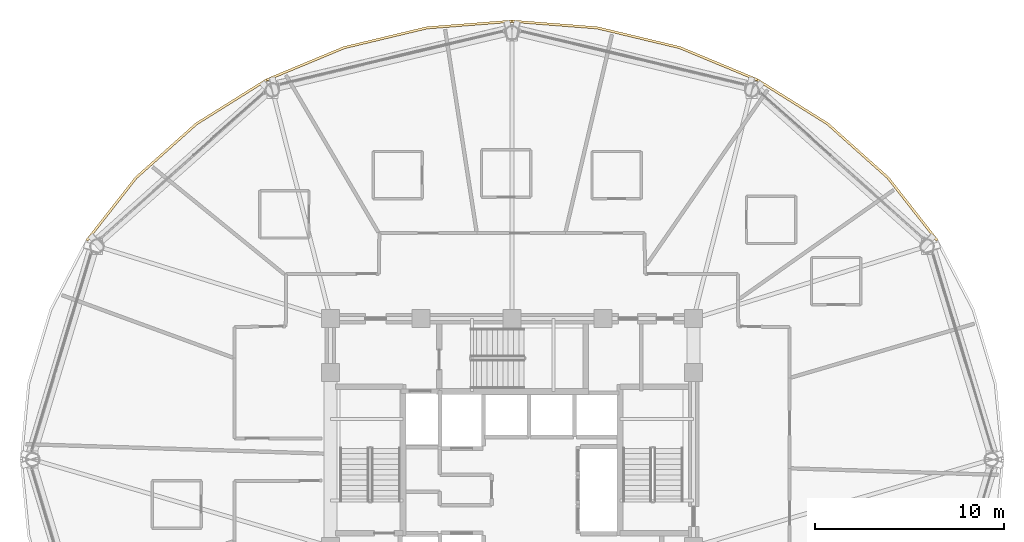
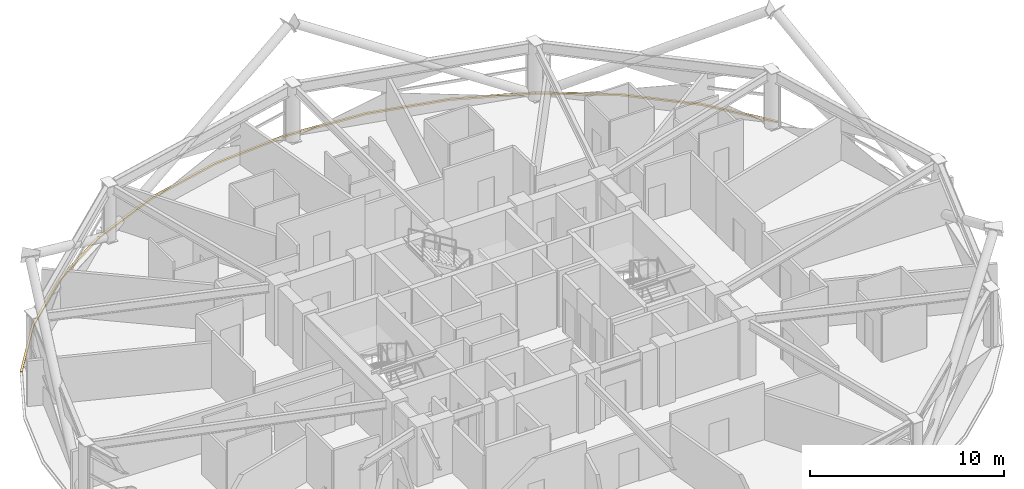
# One storey, part 30 of 30: 4 coverings.
"""IFC4 building model written with IfcOpenShell, lengths in metres."""

import ifcopenshell
import ifcopenshell.guid

model = None  # the IFC model being written
_history = None  # IfcOwnerHistory: only IFC2X3 demands one
_inside = {}  # id of a spatial element -> (the spatial element, [elements in it])
_under = {}  # id of a project, library or spatial element -> (it, [spatial elements below it])
_declared = {}  # id of a project -> (the project, [libraries it declares])
_typed = {}  # id of a type object -> (the type object, [elements of that type])
_made_of = {}  # id of a material, layer set ... -> (it, [elements and type objects made of it])


def new_model(schema):
    """Start an empty IFC model of exactly this schema.

    Asked for "IFC4X3", IfcOpenShell would pick the latest addendum, in which some entities
    have other attributes; the version numbers below select the first issue.
    IFC2X3 requires an IfcOwnerHistory on every rooted entity: one is made here for all.
    """
    global model, _history
    if schema == "IFC4X3":
        model = ifcopenshell.file(schema_version=(4, 3, 0, 0))
    else:
        model = ifcopenshell.file(schema=schema)
    _inside.clear()
    _under.clear()
    _declared.clear()
    _typed.clear()
    _made_of.clear()
    _history = None
    if model.schema == "IFC2X3":
        org = make("IfcOrganization", Name="unknown")
        user = make(
            "IfcPersonAndOrganization",
            ThePerson=make("IfcPerson", FamilyName="unknown"),
            TheOrganization=org,
        )
        app = make(
            "IfcApplication",
            ApplicationDeveloper=org,
            Version="unknown",
            ApplicationFullName="unknown",
            ApplicationIdentifier="unknown",
        )
        _history = make(
            "IfcOwnerHistory",
            OwningUser=user,
            OwningApplication=app,
            ChangeAction="ADDED",
            CreationDate=0,
        )
    return model


def make(cls, **values):
    """One entity of the class cls with the attributes given. An attribute that is None is left unset."""
    return model.create_entity(
        cls, **{name: value for name, value in values.items() if value is not None}
    )


def rooted(cls, **values):
    """An entity with a GlobalId (a new one), such as an element, a storey or a relation."""
    return make(cls, GlobalId=ifcopenshell.guid.new(), OwnerHistory=_history, **values)


def si_unit(unit_type, name, prefix=None):
    """IfcSIUnit, for example si_unit("LENGTHUNIT", "METRE", prefix="MILLI")."""
    return make("IfcSIUnit", UnitType=unit_type, Prefix=prefix, Name=name)


def assignment(units):
    """IfcUnitAssignment: the units of a project."""
    return None if units is None else make("IfcUnitAssignment", Units=units)


def point(xyz):
    """IfcCartesianPoint."""
    return None if xyz is None else make("IfcCartesianPoint", Coordinates=xyz)


def direction(xyz):
    """IfcDirection."""
    return None if xyz is None else make("IfcDirection", DirectionRatios=xyz)


def frame(location, z_axis=None, x_axis=None):
    """IfcAxis2Placement3D, a coordinate frame: its origin and axes. An axis left out is left unset."""
    return make(
        "IfcAxis2Placement3D",
        Location=point(location),
        Axis=direction(z_axis),
        RefDirection=direction(x_axis),
    )


def origin():
    """The frame at (0, 0, 0) with its axes left unset."""
    return frame((0.0, 0.0, 0.0))


def place(relative_to, where):
    """IfcLocalPlacement: puts the frame where relative to a parent placement (None: the world)."""
    return make(
        "IfcLocalPlacement", PlacementRelTo=relative_to, RelativePlacement=where
    )


def context(
    kind, dimensions, precision=None, world=None, true_north=None, identifier=None
):
    """IfcGeometricRepresentationContext, for example the 3D "Model" context."""
    return make(
        "IfcGeometricRepresentationContext",
        ContextIdentifier=identifier,
        ContextType=kind,
        CoordinateSpaceDimension=dimensions,
        Precision=precision,
        WorldCoordinateSystem=world,
        TrueNorth=true_north,
    )


def subcontext(parent, identifier, kind, view, scale=None):
    """IfcGeometricRepresentationSubContext, for example "Body" below "Model"."""
    return make(
        "IfcGeometricRepresentationSubContext",
        ContextIdentifier=identifier,
        ContextType=kind,
        ParentContext=parent,
        TargetScale=scale,
        TargetView=view,
    )


def project(units=None, contexts=None):
    """IfcProject with its units and contexts."""
    return rooted(
        "IfcProject",
        Name="project",
        RepresentationContexts=contexts,
        UnitsInContext=assignment(units),
    )


def spatial(cls, under=None, at=None, **own):
    """A site, building, storey or space (cls), placed at a placement, below another one or the project."""
    s = rooted(cls, ObjectPlacement=at, **own)
    if under is not None:
        _under.setdefault(under.id(), (under, []))[1].append(s)
    return s


def polyline(points):
    """IfcPolyline through the points."""
    return make("IfcPolyline", Points=[point(p) for p in points])


def outline(outer, holes=None, kind="AREA"):
    """IfcArbitraryClosedProfileDef: a profile drawn as a closed curve; with holes, ...WithVoids."""
    if holes is None:
        return make("IfcArbitraryClosedProfileDef", ProfileType=kind, OuterCurve=outer)
    return make(
        "IfcArbitraryProfileDefWithVoids",
        ProfileType=kind,
        OuterCurve=outer,
        InnerCurves=holes,
    )


def extrude(swept, where, along, depth):
    """IfcExtrudedAreaSolid: the profile swept, set in the frame where, extruded along a direction by depth."""
    return make(
        "IfcExtrudedAreaSolid",
        SweptArea=swept,
        Position=where,
        ExtrudedDirection=direction(along),
        Depth=depth,
    )


def shape(context_of_items, identifier, shape_type, items):
    """IfcShapeRepresentation: the items that make up one representation, for example the "Body"."""
    return make(
        "IfcShapeRepresentation",
        ContextOfItems=context_of_items,
        RepresentationIdentifier=identifier,
        RepresentationType=shape_type,
        Items=items,
    )


def material(Name=None, Category=None):
    """IfcMaterial."""
    return make("IfcMaterial", Name=Name, Category=Category)


def layer(
    of_material, thickness, ventilated=None, Name=None, Category=None, Priority=None
):
    """IfcMaterialLayer: one layer of a wall or slab, of a material (None: an air gap)."""
    return make(
        "IfcMaterialLayer",
        Material=of_material,
        LayerThickness=thickness,
        IsVentilated=ventilated,
        Name=Name,
        Category=Category,
        Priority=Priority,
    )


def layer_set(layers, Name=None):
    """IfcMaterialLayerSet."""
    return make("IfcMaterialLayerSet", MaterialLayers=layers, LayerSetName=Name)


def made_of(thing, what):
    """Note that an element or type object is made of a material, layer set ...; save() writes the relation."""
    if what is not None:
        _made_of.setdefault(what.id(), (what, []))[1].append(thing)
    return thing


def type_object(cls, material=None, **own):
    """A type object (cls), such as IfcWallType, which elements share."""
    return made_of(rooted(cls, **own), material)


def element(
    cls,
    number,
    at=None,
    inside=None,
    cuts=None,
    type_object=None,
    material=None,
    context=None,
    identifier="Body",
    shape_type=None,
    held_by="IfcProductDefinitionShape",
    body=None,
    shapes=None,
    **own,
):
    """One element of the class cls, such as IfcWall. Its Tag is "e" and its number.

    at: its placement. inside: the storey or other place that contains it. cuts: it is an
    opening in that element (IfcRelVoidsElement). A single representation is given by context,
    identifier, shape_type and body (its items); several are given by shapes. held_by: the class
    of the entity that holds the representations. save() writes the other relations.
    """
    e = rooted(cls, Tag="e%d" % number, ObjectPlacement=at, **own)
    if body is not None:
        shapes = [shape(context, identifier, shape_type, body)]
    if shapes is not None:
        e.Representation = make(held_by, Representations=shapes)
    if inside is not None:
        _inside.setdefault(inside.id(), (inside, []))[1].append(e)
    if cuts is not None:
        rooted(
            "IfcRelVoidsElement", RelatingBuildingElement=cuts, RelatedOpeningElement=e
        )
    if type_object is not None:
        _typed.setdefault(type_object.id(), (type_object, []))[1].append(e)
    return made_of(e, material)


def aggregate(whole, parts):
    """IfcRelAggregates: a whole, such as a stair, and the parts it consists of."""
    return rooted("IfcRelAggregates", RelatingObject=whole, RelatedObjects=parts)


def save(model, path):
    """Write the relations noted so far, then the file.

    IfcRelAggregates (storeys below a building ...), IfcRelContainedInSpatialStructure (elements
    in a storey), IfcRelDefinesByType, IfcRelAssociatesMaterial and IfcRelDeclares: one each for
    every whole, place, type object, material and project.
    """
    for whole, parts in _under.values():
        aggregate(whole, parts)
    for where, things in _inside.values():
        rooted(
            "IfcRelContainedInSpatialStructure",
            RelatedElements=things,
            RelatingStructure=where,
        )
    for kind, things in _typed.values():
        rooted("IfcRelDefinesByType", RelatedObjects=things, RelatingType=kind)
    for what, things in _made_of.values():
        rooted("IfcRelAssociatesMaterial", RelatedObjects=things, RelatingMaterial=what)
    for by, libraries in _declared.values():
        rooted("IfcRelDeclares", RelatingContext=by, RelatedDefinitions=libraries)
    model.write(path)


model = new_model("IFC4")

# Units and contexts
model_context = context("Model", 3, precision=1e-05, world=origin(), true_north=direction((0.0, 1.0)))
body_context = subcontext(model_context, "Body", "Model", "MODEL_VIEW")
ifc_project = project(units=[si_unit("LENGTHUNIT", "METRE"), si_unit("AREAUNIT", "SQUARE_METRE"), si_unit("VOLUMEUNIT", "CUBIC_METRE"), si_unit("PLANEANGLEUNIT", "RADIAN"), si_unit("MASSUNIT", "GRAM", prefix="KILO")], contexts=[model_context])

# Site, building, storey
site_placement = place(None, origin())
site = spatial("IfcSite", under=ifc_project, at=site_placement, CompositionType="ELEMENT")
building_placement = place(site_placement, origin())
building = spatial("IfcBuilding", under=site, at=building_placement, Name="Vantalir Tower", CompositionType="ELEMENT")
storey_placement = place(building_placement, frame((0.0, 0.0, 119.699951171875)))
storey = spatial("IfcBuildingStorey", under=building, at=storey_placement, Name="L29", CompositionType="ELEMENT", Elevation=119.699951171875)

# Coverings
ifc_material = material(Name="Anodised champagne aluminium sill fascia", Category="aluminium")
ifc_layer = layer(ifc_material, 0.125)
ifc_layer_set = layer_set([ifc_layer], Name="Anodised champagne aluminium sill fascia")
covering_type = type_object("IfcCoveringType", Name="COV-SLAB-FASCIA-125", PredefinedType="CLADDING", material=ifc_layer_set)
covering_1_placement = place(storey_placement, frame((0.0, 0.0, -0.179931640625)))
element("IfcCovering", 1, at=covering_1_placement, inside=storey, type_object=covering_type, Name="L29 Perimeter Slab-Edge Sill Fascia 02", PredefinedType="CLADDING", context=body_context, shape_type="SweptSolid", body=[
    extrude(outline(polyline([(54.030029296875, 36.6201171875), (51.428955078125, 39.93896484375), (48.221923828125, 42.803955078125), (44.508056640625, 45.126953125), (44.445068359375, 45.01904296875), (48.14208984375, 42.7080078125), (51.3330078125, 39.85888671875), (53.9208984375, 36.55810546875), (54.030029296875, 36.6201171875)])), origin(), (0.0, 0.0, 1.0), 0.10498046875),
])
covering_2_placement = place(storey_placement, frame((0.0, 0.0, -0.179931640625)))
element("IfcCovering", 2, at=covering_2_placement, inside=storey, type_object=covering_type, Name="L29 Perimeter Slab-Edge Sill Fascia 03", PredefinedType="CLADDING", context=body_context, shape_type="SweptSolid", body=[
    extrude(outline(polyline([(44.508056640625, 45.126953125), (40.39794921875, 46.839111328125), (36.01708984375, 47.887939453125), (31.5, 48.240966796875), (31.5, 48.115966796875), (35.99609375, 47.764892578125), (40.35498046875, 46.721923828125), (44.445068359375, 45.01904296875), (44.508056640625, 45.126953125)])), origin(), (0.0, 0.0, 1.0), 0.10498046875),
])
covering_3_placement = place(storey_placement, frame((0.0, 0.0, -0.179931640625)))
element("IfcCovering", 3, at=covering_3_placement, inside=storey, type_object=covering_type, Name="L29 Perimeter Slab-Edge Sill Fascia 04", PredefinedType="CLADDING", context=body_context, shape_type="SweptSolid", body=[
    extrude(outline(polyline([(31.5, 48.240966796875), (26.98291015625, 47.887939453125), (22.60205078125, 46.839111328125), (18.492919921875, 45.126953125), (18.554931640625, 45.01904296875), (22.64501953125, 46.721923828125), (27.00390625, 47.764892578125), (31.5, 48.115966796875), (31.5, 48.240966796875)])), origin(), (0.0, 0.0, 1.0), 0.10498046875),
])
covering_4_placement = place(storey_placement, frame((0.0, 0.0, -0.179931640625)))
element("IfcCovering", 4, at=covering_4_placement, inside=storey, type_object=covering_type, Name="L29 Perimeter Slab-Edge Sill Fascia 05", PredefinedType="CLADDING", context=body_context, shape_type="SweptSolid", body=[
    extrude(outline(polyline([(18.492919921875, 45.126953125), (14.778076171875, 42.803955078125), (11.571044921875, 39.93896484375), (8.969970703125, 36.6201171875), (9.0791015625, 36.55810546875), (11.6669921875, 39.85888671875), (14.85791015625, 42.7080078125), (18.554931640625, 45.01904296875), (18.492919921875, 45.126953125)])), origin(), (0.0, 0.0, 1.0), 0.10498046875),
])

save(model, "model.ifc")
